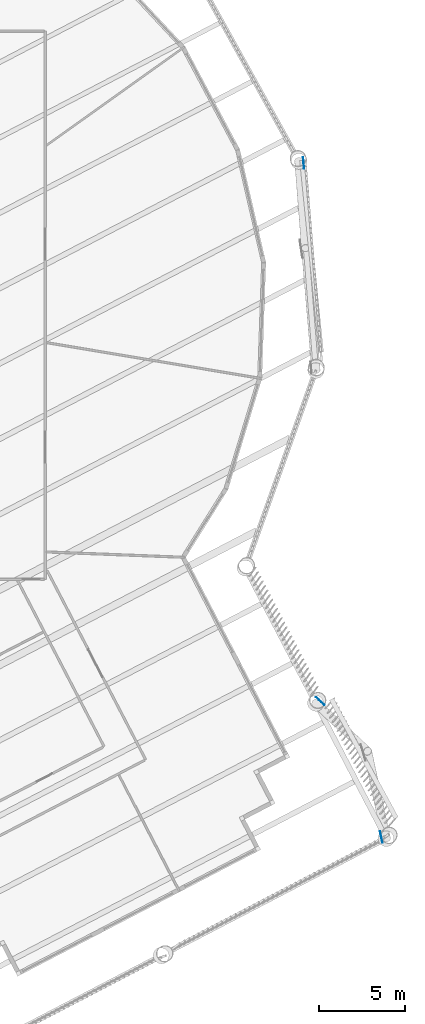
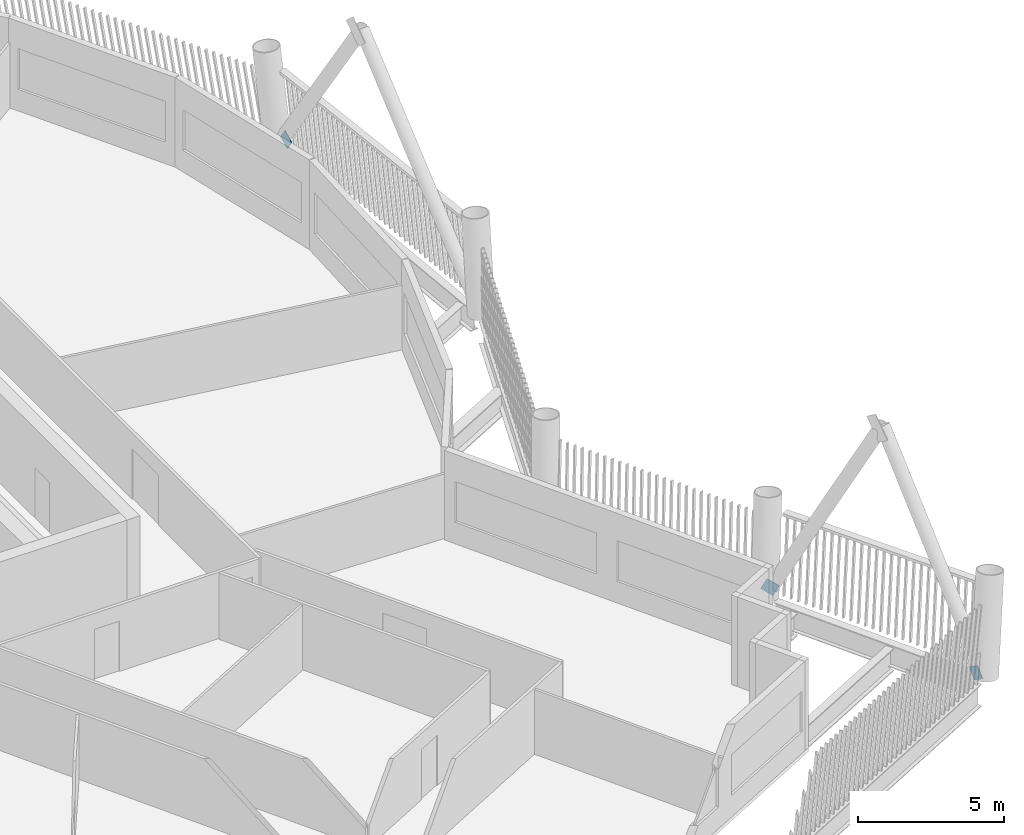
# One storey, part 13 of 22: 3 discrete accessories.
"""IFC4 building model written with IfcOpenShell, lengths in metres."""

from ifc_helpers import new_model, si_unit, direction, frame, origin, origin_2d, place, context, subcontext, project, spatial, rectangle, extrude, material, material_profile, profile_set, type_object, element, save


model = new_model("IFC4")

# Units and contexts
model_context = context("Model", 3, precision=1e-05, world=origin(), true_north=direction((0.0, 1.0)))
body_context = subcontext(model_context, "Body", "Model", "MODEL_VIEW")
ifc_project = project(units=[si_unit("LENGTHUNIT", "METRE"), si_unit("AREAUNIT", "SQUARE_METRE"), si_unit("VOLUMEUNIT", "CUBIC_METRE"), si_unit("PLANEANGLEUNIT", "RADIAN"), si_unit("MASSUNIT", "GRAM", prefix="KILO")], contexts=[model_context])

# Site, building, storey
site_placement = place(None, origin())
site = spatial("IfcSite", under=ifc_project, at=site_placement, CompositionType="ELEMENT")
building_placement = place(site_placement, origin())
building = spatial("IfcBuilding", under=site, at=building_placement, Name="Tarsis Ring Headquarters", CompositionType="ELEMENT")
storey_placement = place(building_placement, frame((0.0, 0.0, 339.199951171875)))
storey = spatial("IfcBuildingStorey", under=building, at=storey_placement, Name="L80", CompositionType="ELEMENT", Elevation=339.199951171875)

# Discrete accessories
ifc_material = material(Name="Structural steel S355", Category="steel")
ifc_material_profile = material_profile(ifc_material, rectangle(XDim=0.02490234375, YDim=0.5, at=origin_2d()), Name="PL 25x500")
ifc_profile_set = profile_set([ifc_material_profile], Name="Structural steel S355")
discrete_accessory_type = type_object("IfcDiscreteAccessoryType", Name="Gusset plate Exo brace 25", PredefinedType="BRACKET", material=ifc_profile_set)
for number, where, z_axis, x_axis, name in (
    (1, (32.640869140625, -31.174560546875, 0.0), (-0.116207100292, 0.542462556404, 0.832003776879), (-0.977815292061, -0.209468982458, 0.0), "Gusset plate GP5"),
    (2, (28.969482421875, -23.028564453125, 0.0), (0.342785533226, -0.318370609208, 0.883820249487), (0.680531164524, 0.732719137263, 0.0), "Gusset plate GP5"),
    (3, (28.0693359375, 8.43359375, 0.0), (0.042480742212, -0.54492538286, 0.837407734414), (0.996975134197, 0.077721179816, 0.0), "Gusset plate GP5"),
):
    element("IfcDiscreteAccessory", number, at=place(storey_placement, frame(where, z_axis=z_axis, x_axis=x_axis)), inside=storey, type_object=discrete_accessory_type, Name=name, PredefinedType="BRACKET", context=body_context, shape_type="SweptSolid", body=[
        extrude(rectangle(XDim=0.02490234375, YDim=0.5, at=origin_2d()), origin(), (0.0, 0.0, 1.0), 0.5),
    ])

save(model, "model.ifc")
